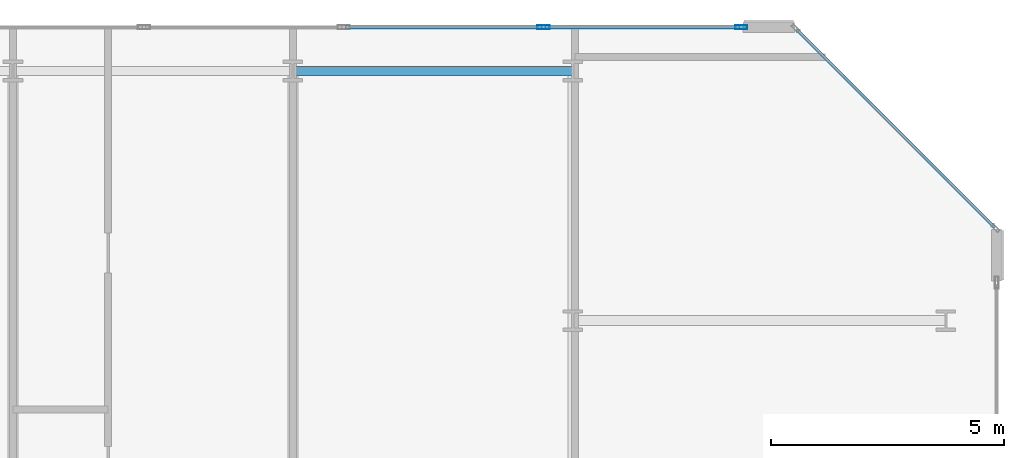
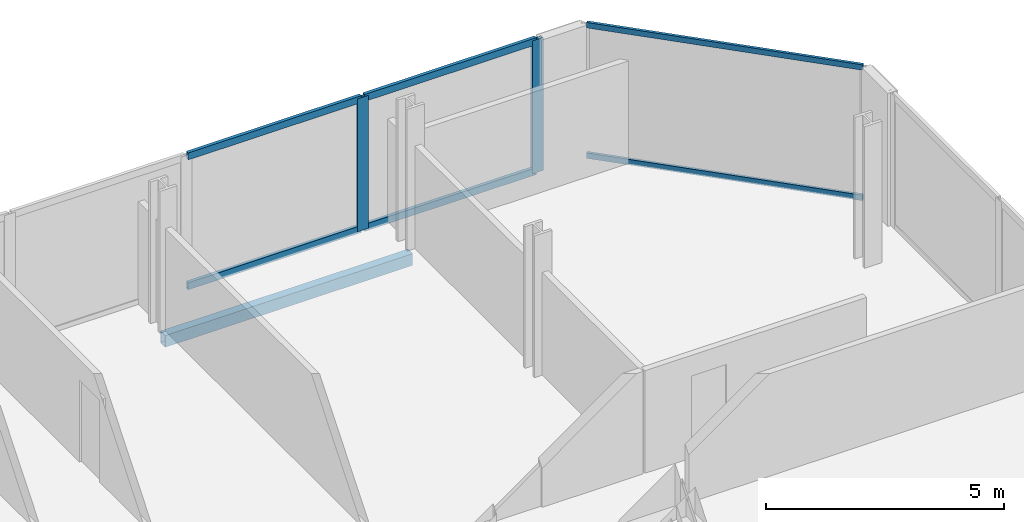
# One storey, part 12 of 19: 8 members, 1 beam, 2 elements without a shape of their own.
"""IFC4 building model written with IfcOpenShell, lengths in metres."""

from ifc_helpers import new_model, si_unit, direction, frame, origin, origin_2d, place, context, subcontext, project, spatial, hollow_rectangle, extrude, material, layer, layer_set, material_profile, profile_set, type_object, element, aggregate, save


model = new_model("IFC4")

# Units and contexts
model_context = context("Model", 3, precision=1e-05, world=origin(), true_north=direction((0.0, 1.0)))
body_context = subcontext(model_context, "Body", "Model", "MODEL_VIEW")
ifc_project = project(units=[si_unit("LENGTHUNIT", "METRE"), si_unit("AREAUNIT", "SQUARE_METRE"), si_unit("VOLUMEUNIT", "CUBIC_METRE"), si_unit("PLANEANGLEUNIT", "RADIAN"), si_unit("MASSUNIT", "GRAM", prefix="KILO")], contexts=[model_context])

# Site, building, storey
site_placement = place(None, origin())
site = spatial("IfcSite", under=ifc_project, at=site_placement, CompositionType="ELEMENT")
building_placement = place(site_placement, origin())
building = spatial("IfcBuilding", under=site, at=building_placement, Name="Tanjung Sevakor Pilgrim Tower", CompositionType="ELEMENT")
storey_placement = place(building_placement, frame((0.0, 0.0, 260.699951171875)))
storey = spatial("IfcBuildingStorey", under=building, at=storey_placement, Name="L73", CompositionType="ELEMENT", Elevation=260.699951171875)

# Beam
ifc_material_1 = material(Name="Steel S355J2", Category="steel")
ifc_material_profile_1 = material_profile(ifc_material_1, hollow_rectangle(XDim=0.199951171875, YDim=0.300048828125, WallThickness=0.012451171875, at=origin_2d()))
ifc_profile_set_1 = profile_set([ifc_material_profile_1], Name="Steel S355J2")
beam_type = type_object("IfcBeamType", Name="BM-B-SP3-RHS_300x200x12.5", PredefinedType="SPANDREL", material=ifc_profile_set_1)
beam_placement = place(storey_placement, frame((84.0, 53.949951171875, -0.369873046875), z_axis=(1.0, 0.0, 0.0), x_axis=(0.0, 1.0, 0.0)))
element("IfcBeam", 1, at=beam_placement, inside=storey, type_object=beam_type, Name="L73 Spandrel EAST N-06", PredefinedType="SPANDREL", context=body_context, shape_type="SweptSolid", body=[
    extrude(hollow_rectangle(XDim=0.199951171875, YDim=0.300048828125, WallThickness=0.012451171875, at=origin_2d()), origin(), (0.0, 0.0, 1.0), 6.0),
])

# Curtain wall, members
ifc_material_2 = material(Name="Aluminium 6063-T6 and Low-E Glass", Category="aluminium")
ifc_layer_1 = layer(ifc_material_2, 0.219970703125)
ifc_layer_set_1 = layer_set([ifc_layer_1], Name="CW-SYS-CRNE")
curtain_wall_type_1 = type_object("IfcCurtainWallType", Name="CW-SYS-CRNE", PredefinedType="NOTDEFINED", material=ifc_layer_set_1)
curtain_wall_1_placement = place(storey_placement, origin())
curtain_wall_1 = element("IfcCurtainWall", 2, at=curtain_wall_1_placement, inside=storey, type_object=curtain_wall_type_1, Name="L73 Curtain Wall CW-CRN-L73-EAST-4-1", PredefinedType="NOTDEFINED")
ifc_material_3 = material(Name="Aluminium 6063-T6", Category="aluminium")
ifc_material_profile_2 = material_profile(ifc_material_3, hollow_rectangle(XDim=0.080078125, YDim=0.260009765625, WallThickness=0.0048828125, at=origin_2d()))
ifc_profile_set_2 = profile_set([ifc_material_profile_2], Name="Aluminium 6063-T6")
member_type_1 = type_object("IfcMemberType", Name="TYPE-CWM-3", PredefinedType="MULLION", material=ifc_profile_set_2)
member_1_placement = place(storey_placement, frame((93.614501953125, 54.889892578125, 0.0), z_axis=(0.0, 0.0, 1.0), x_axis=(0.0, -1.0, 0.0)))
member_1 = element("IfcMember", 3, at=member_1_placement, type_object=member_type_1, Name="CW-CRE mullion 1", PredefinedType="MULLION", context=body_context, shape_type="SweptSolid", body=[
    extrude(hollow_rectangle(XDim=0.080078125, YDim=0.260009765625, WallThickness=0.0048828125, at=origin_2d()), origin(), (0.0, 0.0, 1.0), 3.41015625),
])
member_2_placement = place(storey_placement, frame((89.37255859375, 54.889892578125, 0.0), z_axis=(0.0, 0.0, 1.0), x_axis=(0.0, -1.0, 0.0)))
member_2 = element("IfcMember", 4, at=member_2_placement, type_object=member_type_1, Name="CW-CRE mullion 2", PredefinedType="MULLION", context=body_context, shape_type="SweptSolid", body=[
    extrude(hollow_rectangle(XDim=0.080078125, YDim=0.260009765625, WallThickness=0.0048828125, at=origin_2d()), origin(), (0.0, 0.0, 1.0), 3.41015625),
])

ifc_material_4 = material(Name="Aluminium 6063-T6 and Low-E Glass", Category="aluminium")
ifc_layer_2 = layer(ifc_material_4, 0.179931640625)
ifc_layer_set_2 = layer_set([ifc_layer_2], Name="CW-SYS-CHAM")
curtain_wall_type_2 = type_object("IfcCurtainWallType", Name="CW-SYS-CHAM", PredefinedType="NOTDEFINED", material=ifc_layer_set_2)
curtain_wall_2_placement = place(storey_placement, origin())
curtain_wall_2 = element("IfcCurtainWall", 5, at=curtain_wall_2_placement, inside=storey, type_object=curtain_wall_type_2, Name="L73 Curtain Wall CW-CHM-L73-EAST-3", PredefinedType="NOTDEFINED")
ifc_material_5 = material(Name="Aluminium 6063-T6", Category="aluminium")
ifc_material_profile_3 = material_profile(ifc_material_5, hollow_rectangle(XDim=0.06494140625, YDim=0.139892578125, WallThickness=0.00390625, at=origin_2d()))
ifc_profile_set_3 = profile_set([ifc_material_profile_3], Name="Aluminium 6063-T6")
member_type_2 = type_object("IfcMemberType", Name="TYPE-CWT-1", PredefinedType="USERDEFINED", material=ifc_profile_set_3)
member_3_placement = place(storey_placement, frame((99.0439453125, 50.600341796875, 0.032470703125), z_axis=(-0.707106781187, 0.707106781187, 0.0), x_axis=(-0.707106781187, -0.707106781187, 0.0)))
member_3 = element("IfcMember", 6, at=member_3_placement, type_object=member_type_2, Name="CW-CHM transom 1.1", ObjectType="TRANSOM", PredefinedType="USERDEFINED", context=body_context, shape_type="SweptSolid", body=[
    extrude(hollow_rectangle(XDim=0.06494140625, YDim=0.139892578125, WallThickness=0.00390625, at=origin_2d()), origin(), (0.0, 0.0, 1.0), 6.00146484375),
])
member_4_placement = place(storey_placement, frame((99.0439453125, 50.600341796875, 3.37744140625), z_axis=(-0.707106781187, 0.707106781187, 0.0), x_axis=(-0.707106781187, -0.707106781187, 0.0)))
member_4 = element("IfcMember", 7, at=member_4_placement, type_object=member_type_2, Name="CW-CHM transom 1.2", ObjectType="TRANSOM", PredefinedType="USERDEFINED", context=body_context, shape_type="SweptSolid", body=[
    extrude(hollow_rectangle(XDim=0.06494140625, YDim=0.139892578125, WallThickness=0.00390625, at=origin_2d()), origin(), (0.0, 0.0, 1.0), 6.00146484375),
])
aggregate(curtain_wall_2, [member_3, member_4])

# Member
ifc_material_6 = material(Name="Aluminium 6063-T6", Category="aluminium")
ifc_material_profile_4 = material_profile(ifc_material_6, hollow_rectangle(XDim=0.080078125, YDim=0.179931640625, WallThickness=0.0048828125, at=origin_2d()))
ifc_profile_set_4 = profile_set([ifc_material_profile_4], Name="Aluminium 6063-T6")
member_type_3 = type_object("IfcMemberType", Name="TYPE-CWT-3", PredefinedType="USERDEFINED", material=ifc_profile_set_4)
member_5_placement = place(storey_placement, frame((93.574462890625, 54.889892578125, 0.0400390625), z_axis=(-1.0, 0.0, 0.0), x_axis=(0.0, -1.0, 0.0)))
member_5 = element("IfcMember", 8, at=member_5_placement, type_object=member_type_3, Name="CW-CRE transom 1.1", ObjectType="TRANSOM", PredefinedType="USERDEFINED", context=body_context, shape_type="SweptSolid", body=[
    extrude(hollow_rectangle(XDim=0.080078125, YDim=0.179931640625, WallThickness=0.0048828125, at=origin_2d()), origin(), (0.0, 0.0, 1.0), 4.161865234375),
])

member_6_placement = place(storey_placement, frame((93.574462890625, 54.889892578125, 3.3701171875), z_axis=(-1.0, 0.0, 0.0), x_axis=(0.0, -1.0, 0.0)))
member_6 = element("IfcMember", 9, at=member_6_placement, type_object=member_type_3, Name="CW-CRE transom 1.2", ObjectType="TRANSOM", PredefinedType="USERDEFINED", context=body_context, shape_type="SweptSolid", body=[
    extrude(hollow_rectangle(XDim=0.080078125, YDim=0.179931640625, WallThickness=0.0048828125, at=origin_2d()), origin(), (0.0, 0.0, 1.0), 4.161865234375),
])

member_7_placement = place(storey_placement, frame((89.33251953125, 54.889892578125, 0.0400390625), z_axis=(-1.0, 0.0, 0.0), x_axis=(0.0, -1.0, 0.0)))
member_7 = element("IfcMember", 10, at=member_7_placement, type_object=member_type_3, Name="CW-CRE transom 2.1", ObjectType="TRANSOM", PredefinedType="USERDEFINED", context=body_context, shape_type="SweptSolid", body=[
    extrude(hollow_rectangle(XDim=0.080078125, YDim=0.179931640625, WallThickness=0.0048828125, at=origin_2d()), origin(), (0.0, 0.0, 1.0), 4.20166015625),
])

member_8_placement = place(storey_placement, frame((89.33251953125, 54.889892578125, 3.3701171875), z_axis=(-1.0, 0.0, 0.0), x_axis=(0.0, -1.0, 0.0)))
member_8 = element("IfcMember", 11, at=member_8_placement, type_object=member_type_3, Name="CW-CRE transom 2.2", ObjectType="TRANSOM", PredefinedType="USERDEFINED", context=body_context, shape_type="SweptSolid", body=[
    extrude(hollow_rectangle(XDim=0.080078125, YDim=0.179931640625, WallThickness=0.0048828125, at=origin_2d()), origin(), (0.0, 0.0, 1.0), 4.20166015625),
])

aggregate(curtain_wall_1, [member_1, member_2, member_5, member_6, member_7, member_8])

save(model, "model.ifc")
